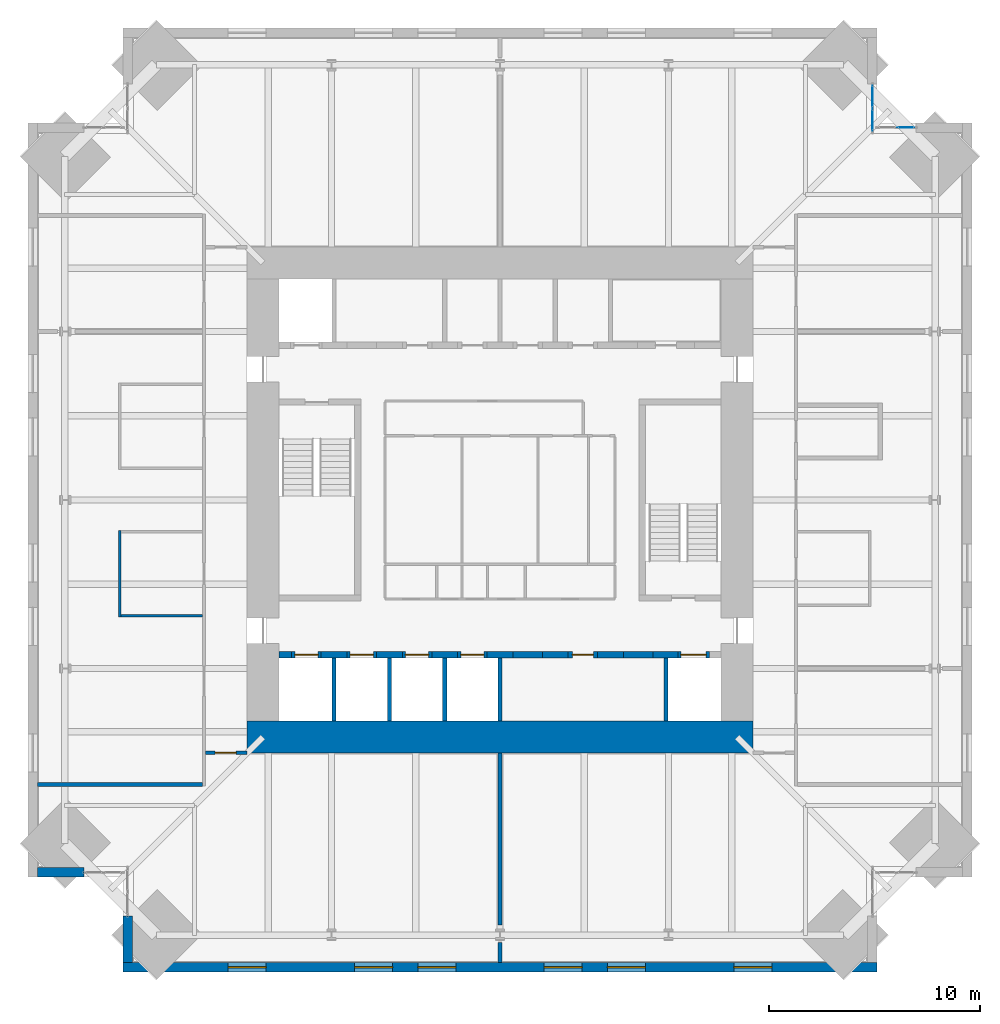
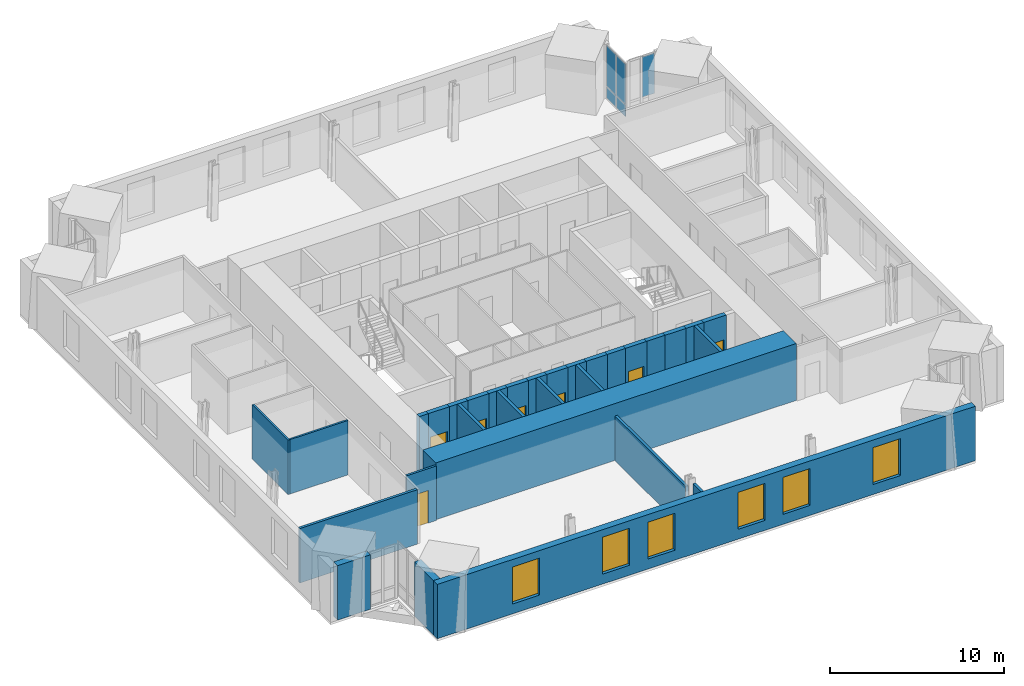
# One storey, part 12 of 17: 31 walls, 7 doors, 6 windows, 5 plates, 13 openings, 2 elements without a shape of their own.
"""IFC4 building model written with IfcOpenShell, lengths in metres."""

from ifc_helpers import new_model, si_unit, direction, frame, frame_2d, origin, origin_2d, place, context, subcontext, project, spatial, rectangle, extrude, material, layer, layer_set, type_object, element, fill, aggregate, save


model = new_model("IFC4")

# Units and contexts
model_context = context("Model", 3, precision=1e-05, world=origin(), true_north=direction((0.0, 1.0)))
body_context = subcontext(model_context, "Body", "Model", "MODEL_VIEW")
ifc_project = project(units=[si_unit("LENGTHUNIT", "METRE"), si_unit("AREAUNIT", "SQUARE_METRE"), si_unit("VOLUMEUNIT", "CUBIC_METRE"), si_unit("PLANEANGLEUNIT", "RADIAN"), si_unit("MASSUNIT", "GRAM", prefix="KILO")], contexts=[model_context])

# Site, building, storey
site_placement = place(None, origin())
site = spatial("IfcSite", under=ifc_project, at=site_placement, CompositionType="ELEMENT")
building_placement = place(site_placement, origin())
building = spatial("IfcBuilding", under=site, at=building_placement, Name="Peilmerk Tower", CompositionType="ELEMENT")
storey_placement = place(building_placement, frame((0.0, 0.0, 253.800048828125)))
storey = spatial("IfcBuildingStorey", under=building, at=storey_placement, Name="L56", CompositionType="ELEMENT", Elevation=253.800048828125)

# Curtain wall, plates
ifc_material_1 = material(Name="Aluminium stick curtain wall", Category="aluminium")
curtain_wall_type = type_object("IfcCurtainWallType", Name="CW4 stick curtain wall, 2250 module", PredefinedType="NOTDEFINED", material=ifc_material_1)
curtain_wall_1_placement = place(storey_placement, origin())
curtain_wall_1 = element("IfcCurtainWall", 1, at=curtain_wall_1_placement, inside=storey, type_object=curtain_wall_type, Name="Curtain wall CW4 NEA L56", PredefinedType="NOTDEFINED")
ifc_material_2 = material(Name="Clear insulated glazing unit", Category="glass")
ifc_layer_1 = layer(ifc_material_2, 0.028076171875)
ifc_layer_set_1 = layer_set([ifc_layer_1], Name="Clear insulated glazing unit")
plate_type = type_object("IfcPlateType", Name="CW4-P 28 glazed panel", PredefinedType="CURTAIN_PANEL", material=ifc_layer_set_1)
plate_1_placement = place(storey_placement, frame((17.675048828125, 18.038330078125, 0.06494140625), z_axis=(0.0, 0.0, 1.0), x_axis=(0.0, 1.0, 0.0)))
plate_1 = element("IfcPlate", 2, at=plate_1_placement, type_object=plate_type, Name="CW4 panel 1.1", PredefinedType="CURTAIN_PANEL", context=body_context, shape_type="SweptSolid", body=[
    extrude(rectangle(XDim=1.046875, YDim=0.028076171875, at=origin_2d()), origin(), (0.0, 0.0, 1.0), 0.802490234375),
])
plate_2_placement = place(storey_placement, frame((17.675048828125, 18.038330078125, 0.932373046875), z_axis=(0.0, 0.0, 1.0), x_axis=(0.0, 1.0, 0.0)))
plate_2 = element("IfcPlate", 3, at=plate_2_placement, type_object=plate_type, Name="CW4 panel 1.2", PredefinedType="CURTAIN_PANEL", context=body_context, shape_type="SweptSolid", body=[
    extrude(rectangle(XDim=1.046875, YDim=0.028076171875, at=origin_2d()), origin(), (0.0, 0.0, 1.0), 2.83251953125),
])
plate_3_placement = place(storey_placement, frame((17.675048828125, 19.150146484375, 0.06494140625), z_axis=(0.0, 0.0, 1.0), x_axis=(0.0, 1.0, 0.0)))
plate_3 = element("IfcPlate", 4, at=plate_3_placement, type_object=plate_type, Name="CW4 panel 2.1", PredefinedType="CURTAIN_PANEL", context=body_context, shape_type="SweptSolid", body=[
    extrude(rectangle(XDim=1.046875, YDim=0.028076171875, at=origin_2d()), origin(), (0.0, 0.0, 1.0), 0.802490234375),
])
plate_4_placement = place(storey_placement, frame((17.675048828125, 19.150146484375, 0.932373046875), z_axis=(0.0, 0.0, 1.0), x_axis=(0.0, 1.0, 0.0)))
plate_4 = element("IfcPlate", 5, at=plate_4_placement, type_object=plate_type, Name="CW4 panel 2.2", PredefinedType="CURTAIN_PANEL", context=body_context, shape_type="SweptSolid", body=[
    extrude(rectangle(XDim=1.046875, YDim=0.028076171875, at=origin_2d()), origin(), (0.0, 0.0, 1.0), 2.83251953125),
])
aggregate(curtain_wall_1, [plate_1, plate_2, plate_3, plate_4])

# Curtain wall, plate
curtain_wall_2_placement = place(storey_placement, origin())
curtain_wall_2 = element("IfcCurtainWall", 6, at=curtain_wall_2_placement, inside=storey, type_object=curtain_wall_type, Name="Curtain wall CW4 NEB L56", PredefinedType="NOTDEFINED")
plate_5_placement = place(storey_placement, frame((19.2626953125, 17.675048828125, 0.932373046875), z_axis=(0.0, 0.0, 1.0), x_axis=(1.0, 0.0, 0.0)))
plate_5 = element("IfcPlate", 7, at=plate_5_placement, type_object=plate_type, Name="CW4 panel 2.2", PredefinedType="CURTAIN_PANEL", context=body_context, shape_type="SweptSolid", body=[
    extrude(rectangle(XDim=0.82177734375, YDim=0.028076171875, at=origin_2d()), origin(), (0.0, 0.0, 1.0), 2.83251953125),
])
aggregate(curtain_wall_2, [plate_5])

# Wall, openings, windows
ifc_material_3 = material(Name="Precast concrete C45/55, board-marked finish", Category="concrete")
ifc_layer_2 = layer(ifc_material_3, 0.449951171875)
ifc_layer_set_2 = layer_set([ifc_layer_2], Name="Precast concrete C45/55, board-marked finish")
wall_type_1 = type_object("IfcWallType", Name="EW1 450 precast concrete facade wall, board-marked", PredefinedType="SOLIDWALL", material=ifc_layer_set_2)
wall_1_placement = place(storey_placement, frame((-17.89990234375, -22.175048828125, 0.0), z_axis=(0.0, 0.0, 1.0), x_axis=(1.0, 0.0, 0.0)))
wall_1 = element("IfcWall", 8, at=wall_1_placement, inside=storey, type_object=wall_type_1, Name="Facade wall S L56", PredefinedType="SOLIDWALL", context=body_context, shape_type="SweptSolid", body=[
    extrude(rectangle(XDim=35.7998046875, YDim=0.449951171875, at=frame_2d((17.89990234375, 0.0))), origin(), (0.0, 0.0, 1.0), 3.829833984375),
])
opening_1_placement = place(wall_1_placement, frame((5.0, 0.0, 0.699951171875)))
opening_1 = element("IfcOpeningElement", 9, at=opening_1_placement, cuts=wall_1, Name="Opening W1", PredefinedType="OPENING", context=body_context, shape_type="SweptSolid", body=[
    extrude(rectangle(XDim=1.800048828125, YDim=2.60009765625, at=frame_2d((0.89990234375, 1.300048828125))), frame((0.0, 0.23486328125, 0.0), z_axis=(0.0, -1.0, 0.0), x_axis=(1.0, 0.0, 0.0)), (0.0, 0.0, 1.0), 0.469970703125),
])
opening_2_placement = place(wall_1_placement, frame((11.0, 0.0, 0.699951171875)))
opening_2 = element("IfcOpeningElement", 10, at=opening_2_placement, cuts=wall_1, Name="Opening W1", PredefinedType="OPENING", context=body_context, shape_type="SweptSolid", body=[
    extrude(rectangle(XDim=1.800048828125, YDim=2.60009765625, at=frame_2d((0.89990234375, 1.300048828125))), frame((0.0, 0.23486328125, 0.0), z_axis=(0.0, -1.0, 0.0), x_axis=(1.0, 0.0, 0.0)), (0.0, 0.0, 1.0), 0.469970703125),
])
opening_3_placement = place(wall_1_placement, frame((14.0, 0.0, 0.699951171875)))
opening_3 = element("IfcOpeningElement", 11, at=opening_3_placement, cuts=wall_1, Name="Opening W1", PredefinedType="OPENING", context=body_context, shape_type="SweptSolid", body=[
    extrude(rectangle(XDim=1.800048828125, YDim=2.60009765625, at=frame_2d((0.89990234375, 1.300048828125))), frame((0.0, 0.23486328125, 0.0), z_axis=(0.0, -1.0, 0.0), x_axis=(1.0, 0.0, 0.0)), (0.0, 0.0, 1.0), 0.469970703125),
])
opening_4_placement = place(wall_1_placement, frame((20.0, 0.0, 0.699951171875)))
opening_4 = element("IfcOpeningElement", 12, at=opening_4_placement, cuts=wall_1, Name="Opening W1", PredefinedType="OPENING", context=body_context, shape_type="SweptSolid", body=[
    extrude(rectangle(XDim=1.800048828125, YDim=2.60009765625, at=frame_2d((0.89990234375, 1.300048828125))), frame((0.0, 0.23486328125, 0.0), z_axis=(0.0, -1.0, 0.0), x_axis=(1.0, 0.0, 0.0)), (0.0, 0.0, 1.0), 0.469970703125),
])
opening_5_placement = place(wall_1_placement, frame((23.0, 0.0, 0.699951171875)))
opening_5 = element("IfcOpeningElement", 13, at=opening_5_placement, cuts=wall_1, Name="Opening W1", PredefinedType="OPENING", context=body_context, shape_type="SweptSolid", body=[
    extrude(rectangle(XDim=1.800048828125, YDim=2.60009765625, at=frame_2d((0.89990234375, 1.300048828125))), frame((0.0, 0.23486328125, 0.0), z_axis=(0.0, -1.0, 0.0), x_axis=(1.0, 0.0, 0.0)), (0.0, 0.0, 1.0), 0.469970703125),
])
opening_6_placement = place(wall_1_placement, frame((29.0, 0.0, 0.699951171875)))
opening_6 = element("IfcOpeningElement", 14, at=opening_6_placement, cuts=wall_1, Name="Opening W1", PredefinedType="OPENING", context=body_context, shape_type="SweptSolid", body=[
    extrude(rectangle(XDim=1.800048828125, YDim=2.60009765625, at=frame_2d((0.89990234375, 1.300048828125))), frame((0.0, 0.23486328125, 0.0), z_axis=(0.0, -1.0, 0.0), x_axis=(1.0, 0.0, 0.0)), (0.0, 0.0, 1.0), 0.469970703125),
])
ifc_material_4 = material(Name="Aluminium frame, clear double glazing", Category="aluminium")
window_type = type_object("IfcWindowType", Name="W1 1800x2600 office window", PartitioningType="SINGLE_PANEL", PredefinedType="WINDOW", material=ifc_material_4)
window_1_placement = place(opening_1_placement, origin())
window_1 = element("IfcWindow", 15, at=window_1_placement, inside=storey, type_object=window_type, Name="Window W1 L56", OverallHeight=2.60009765625, OverallWidth=1.800048828125, PartitioningType="SINGLE_PANEL", PredefinedType="WINDOW", context=body_context, shape_type="SweptSolid", body=[
    extrude(rectangle(XDim=1.800048828125, YDim=2.60009765625, at=frame_2d((0.89990234375, 1.300048828125))), frame((0.0, 0.030029296875, 0.0), z_axis=(0.0, -1.0, 0.0), x_axis=(1.0, 0.0, 0.0)), (0.0, 0.0, 1.0), 0.06005859375),
])
fill(opening_1, window_1)
window_2_placement = place(opening_2_placement, origin())
window_2 = element("IfcWindow", 16, at=window_2_placement, inside=storey, type_object=window_type, Name="Window W1 L56", OverallHeight=2.60009765625, OverallWidth=1.800048828125, PartitioningType="SINGLE_PANEL", PredefinedType="WINDOW", context=body_context, shape_type="SweptSolid", body=[
    extrude(rectangle(XDim=1.800048828125, YDim=2.60009765625, at=frame_2d((0.89990234375, 1.300048828125))), frame((0.0, 0.030029296875, 0.0), z_axis=(0.0, -1.0, 0.0), x_axis=(1.0, 0.0, 0.0)), (0.0, 0.0, 1.0), 0.06005859375),
])
fill(opening_2, window_2)
window_3_placement = place(opening_3_placement, origin())
window_3 = element("IfcWindow", 17, at=window_3_placement, inside=storey, type_object=window_type, Name="Window W1 L56", OverallHeight=2.60009765625, OverallWidth=1.800048828125, PartitioningType="SINGLE_PANEL", PredefinedType="WINDOW", context=body_context, shape_type="SweptSolid", body=[
    extrude(rectangle(XDim=1.800048828125, YDim=2.60009765625, at=frame_2d((0.89990234375, 1.300048828125))), frame((0.0, 0.030029296875, 0.0), z_axis=(0.0, -1.0, 0.0), x_axis=(1.0, 0.0, 0.0)), (0.0, 0.0, 1.0), 0.06005859375),
])
fill(opening_3, window_3)
window_4_placement = place(opening_4_placement, origin())
window_4 = element("IfcWindow", 18, at=window_4_placement, inside=storey, type_object=window_type, Name="Window W1 L56", OverallHeight=2.60009765625, OverallWidth=1.800048828125, PartitioningType="SINGLE_PANEL", PredefinedType="WINDOW", context=body_context, shape_type="SweptSolid", body=[
    extrude(rectangle(XDim=1.800048828125, YDim=2.60009765625, at=frame_2d((0.89990234375, 1.300048828125))), frame((0.0, 0.030029296875, 0.0), z_axis=(0.0, -1.0, 0.0), x_axis=(1.0, 0.0, 0.0)), (0.0, 0.0, 1.0), 0.06005859375),
])
fill(opening_4, window_4)
window_5_placement = place(opening_5_placement, origin())
window_5 = element("IfcWindow", 19, at=window_5_placement, inside=storey, type_object=window_type, Name="Window W1 L56", OverallHeight=2.60009765625, OverallWidth=1.800048828125, PartitioningType="SINGLE_PANEL", PredefinedType="WINDOW", context=body_context, shape_type="SweptSolid", body=[
    extrude(rectangle(XDim=1.800048828125, YDim=2.60009765625, at=frame_2d((0.89990234375, 1.300048828125))), frame((0.0, 0.030029296875, 0.0), z_axis=(0.0, -1.0, 0.0), x_axis=(1.0, 0.0, 0.0)), (0.0, 0.0, 1.0), 0.06005859375),
])
fill(opening_5, window_5)
window_6_placement = place(opening_6_placement, origin())
window_6 = element("IfcWindow", 20, at=window_6_placement, inside=storey, type_object=window_type, Name="Window W1 L56", OverallHeight=2.60009765625, OverallWidth=1.800048828125, PartitioningType="SINGLE_PANEL", PredefinedType="WINDOW", context=body_context, shape_type="SweptSolid", body=[
    extrude(rectangle(XDim=1.800048828125, YDim=2.60009765625, at=frame_2d((0.89990234375, 1.300048828125))), frame((0.0, 0.030029296875, 0.0), z_axis=(0.0, -1.0, 0.0), x_axis=(1.0, 0.0, 0.0)), (0.0, 0.0, 1.0), 0.06005859375),
])
fill(opening_6, window_6)

# Walls
for number, where, z_axis, x_axis, name in (
    (21, (-17.675048828125, -19.753662109375, 0.0), (0.0, 0.0, 1.0), (0.0, -1.0, 0.0), "Facade wall SWA L56"),
    (22, (-19.753662109375, -17.675048828125, 0.0), (0.0, 0.0, 1.0), (-1.0, 0.0, 0.0), "Facade wall SWB L56"),
):
    element("IfcWall", number, at=place(storey_placement, frame(where, z_axis=z_axis, x_axis=x_axis)), inside=storey, type_object=wall_type_1, Name=name, PredefinedType="SOLIDWALL", context=body_context, shape_type="SweptSolid", body=[
        extrude(rectangle(XDim=2.1962890625, YDim=0.449951171875, at=frame_2d((1.09814453125, 0.0))), origin(), (0.0, 0.0, 1.0), 3.829833984375),
    ])

# Wall, opening, door
ifc_material_5 = material(Name="Calcium silicate block", Category="masonry")
ifc_layer_3 = layer(ifc_material_5, 0.14990234375)
ifc_layer_set_3 = layer_set([ifc_layer_3], Name="Calcium silicate block")
wall_type_2 = type_object("IfcWallType", Name="IW1 150 corridor partition, EI 60", PredefinedType="PARTITIONING", material=ifc_layer_set_3)
wall_2_placement = place(storey_placement, frame((-12.0, -12.0, 0.0), z_axis=(0.0, 0.0, 1.0), x_axis=(-1.0, 0.0, 0.0)))
wall_2 = element("IfcWall", 23, at=wall_2_placement, inside=storey, type_object=wall_type_2, Name="Corridor wall SW L56", PredefinedType="PARTITIONING", context=body_context, shape_type="SweptSolid", body=[
    extrude(rectangle(XDim=1.97509765625, YDim=0.14990234375, at=frame_2d((0.987548828125, 0.0))), origin(), (0.0, 0.0, 1.0), 3.829833984375),
])
opening_7_placement = place(wall_2_placement, frame((0.52490234375, 0.0, 0.0)))
opening_7 = element("IfcOpeningElement", 24, at=opening_7_placement, cuts=wall_2, Name="Opening D1", PredefinedType="OPENING", context=body_context, shape_type="SweptSolid", body=[
    extrude(rectangle(XDim=1.0, YDim=2.300048828125, at=frame_2d((0.5, 1.14990234375))), frame((0.0, 0.0849609375, 0.0), z_axis=(0.0, -1.0, 0.0), x_axis=(1.0, 0.0, 0.0)), (0.0, 0.0, 1.0), 0.169921875),
])
ifc_material_6 = material(Name="Timber door in steel frame", Category="steel")
door_type_1 = type_object("IfcDoorType", Name="D1 1000x2300 room door, EI2 30", OperationType="SINGLE_SWING_LEFT", PredefinedType="DOOR", material=ifc_material_6)
door_1_placement = place(opening_7_placement, origin())
door_1 = element("IfcDoor", 25, at=door_1_placement, inside=storey, type_object=door_type_1, Name="Door Tenant suite L56", OperationType="SINGLE_SWING_LEFT", OverallHeight=2.300048828125, OverallWidth=1.0, PredefinedType="DOOR", context=body_context, shape_type="SweptSolid", body=[
    extrude(rectangle(XDim=1.0, YDim=2.300048828125, at=frame_2d((0.5, 1.14990234375))), frame((0.0, 0.02490234375, 0.0), z_axis=(0.0, -1.0, 0.0), x_axis=(1.0, 0.0, 0.0)), (0.0, 0.0, 1.0), 0.050048828125),
])
fill(opening_7, door_1)

# Walls
ifc_material_7 = material(Name="Plasterboard on steel studs, double boarded with mineral wool", Category="steel")
ifc_layer_4 = layer(ifc_material_7, 0.125)
ifc_layer_set_4 = layer_set([ifc_layer_4], Name="Plasterboard on steel studs, double boarded with mineral wool")
wall_type_3 = type_object("IfcWallType", Name="IW7 125 acoustic partition, EI 30", PredefinedType="PARTITIONING", material=ifc_layer_set_4)
wall_3_placement = place(storey_placement, frame((-18.050048828125, -5.5625, 0.0), z_axis=(0.0, 0.0, 1.0), x_axis=(0.0, 1.0, 0.0)))
element("IfcWall", 26, at=wall_3_placement, inside=storey, type_object=wall_type_3, Name="Acoustic partition Meeting room L56", PredefinedType="PARTITIONING", context=body_context, shape_type="SweptSolid", body=[
    extrude(rectangle(XDim=4.125, YDim=0.125, at=frame_2d((2.0625, 0.0))), origin(), (0.0, 0.0, 1.0), 3.829833984375),
])
wall_4_placement = place(storey_placement, frame((-14.125, -5.5, 0.0), z_axis=(0.0, 0.0, 1.0), x_axis=(-1.0, 0.0, 0.0)))
element("IfcWall", 27, at=wall_4_placement, inside=storey, type_object=wall_type_3, Name="Acoustic partition Meeting room L56", PredefinedType="PARTITIONING", context=body_context, shape_type="SweptSolid", body=[
    extrude(rectangle(XDim=3.862548828125, YDim=0.125, at=frame_2d((1.93115234375, 0.0))), origin(), (0.0, 0.0, 1.0), 3.829833984375),
])
ifc_layer_5 = layer(ifc_material_5, 0.175048828125)
ifc_layer_set_5 = layer_set([ifc_layer_5], Name="Calcium silicate block")
wall_type_4 = type_object("IfcWallType", Name="IW8 175 tenant separating wall, EI 60", PredefinedType="PARTITIONING", material=ifc_layer_set_5)
wall_5_placement = place(storey_placement, frame((-14.125, -13.5, 0.0), z_axis=(0.0, 0.0, 1.0), x_axis=(-1.0, 0.0, 0.0)))
element("IfcWall", 28, at=wall_5_placement, inside=storey, type_object=wall_type_4, Name="Tenant separating wall SW L56", PredefinedType="PARTITIONING", context=body_context, shape_type="SweptSolid", body=[
    extrude(rectangle(XDim=7.824951171875, YDim=0.175048828125, at=frame_2d((3.91259765625, 0.0))), origin(), (0.0, 0.0, 1.0), 3.829833984375),
])
wall_6_placement = place(storey_placement, frame((0.0, -12.0, 0.0), z_axis=(0.0, 0.0, 1.0), x_axis=(0.0, -1.0, 0.0)))
element("IfcWall", 29, at=wall_6_placement, inside=storey, type_object=wall_type_4, Name="Tenant separating wall S1 L56", PredefinedType="PARTITIONING", context=body_context, shape_type="SweptSolid", body=[
    extrude(rectangle(XDim=8.171875, YDim=0.175048828125, at=frame_2d((4.0859375, 0.0))), origin(), (0.0, 0.0, 1.0), 3.139892578125),
])
wall_7_placement = place(storey_placement, frame((0.0, -20.992431640625, 0.0), z_axis=(0.0, 0.0, 1.0), x_axis=(0.0, -1.0, 0.0)))
element("IfcWall", 30, at=wall_7_placement, inside=storey, type_object=wall_type_4, Name="Tenant separating wall S1b L56", PredefinedType="PARTITIONING", context=body_context, shape_type="SweptSolid", body=[
    extrude(rectangle(XDim=0.95751953125, YDim=0.175048828125, at=frame_2d((0.478759765625, 0.0))), origin(), (0.0, 0.0, 1.0), 3.829833984375),
])
ifc_layer_6 = layer(ifc_material_5, 0.199951171875)
ifc_layer_set_6 = layer_set([ifc_layer_6], Name="Calcium silicate block")
wall_type_5 = type_object("IfcWallType", Name="SH1 200 shaft dividing wall, EI 120", PredefinedType="PARTITIONING", material=ifc_layer_set_6)
for number, where, z_axis, x_axis, name in (
    (31, (-7.875, -10.5, 0.0), (0.0, 0.0, 1.0), (0.0, 1.0, 0.0), "Shaft wall S C4 L56"),
    (32, (-5.25, -10.5, 0.0), (0.0, 0.0, 1.0), (0.0, 1.0, 0.0), "Shaft wall S C3 L56"),
    (33, (-2.625, -10.5, 0.0), (0.0, 0.0, 1.0), (0.0, 1.0, 0.0), "Shaft wall S C2 L56"),
    (34, (0.0, -10.5, 0.0), (0.0, 0.0, 1.0), (0.0, 1.0, 0.0), "Shaft wall S C1 L56"),
    (35, (7.875, -10.5, 0.0), (0.0, 0.0, 1.0), (0.0, 1.0, 0.0), "Shaft wall S B1 L56"),
):
    element("IfcWall", number, at=place(storey_placement, frame(where, z_axis=z_axis, x_axis=x_axis)), inside=storey, type_object=wall_type_5, Name=name, PredefinedType="PARTITIONING", context=body_context, shape_type="SweptSolid", body=[
        extrude(rectangle(XDim=3.0, YDim=0.199951171875, at=frame_2d((1.5, 0.0))), origin(), (0.0, 0.0, 1.0), 4.0),
    ])

# Wall, opening, door
ifc_layer_7 = layer(ifc_material_5, 0.300048828125)
ifc_layer_set_7 = layer_set([ifc_layer_7], Name="Calcium silicate block")
wall_type_6 = type_object("IfcWallType", Name="SH2 300 lift landing door panel, EI 120", PredefinedType="PARTITIONING", material=ifc_layer_set_7)
wall_8_placement = place(storey_placement, frame((-9.887451171875, -7.35009765625, 0.0), z_axis=(0.0, 0.0, 1.0), x_axis=(1.0, 0.0, 0.0)))
wall_8 = element("IfcWall", 36, at=wall_8_placement, inside=storey, type_object=wall_type_6, Name="Lift door panel S C4 L56", PredefinedType="PARTITIONING", context=body_context, shape_type="SweptSolid", body=[
    extrude(rectangle(XDim=1.39990234375, YDim=0.300048828125, at=frame_2d((0.699951171875, 0.0))), origin(), (0.0, 0.0, 1.0), 4.0),
])
opening_8_placement = place(wall_8_placement, frame((0.14990234375, 0.0, 0.0)))
opening_8 = element("IfcOpeningElement", 37, at=opening_8_placement, cuts=wall_8, Name="Opening LD1", PredefinedType="OPENING", context=body_context, shape_type="SweptSolid", body=[
    extrude(rectangle(XDim=1.10009765625, YDim=2.300048828125, at=frame_2d((0.550048828125, 1.14990234375))), frame((0.0, 0.159912109375, 0.0), z_axis=(0.0, -1.0, 0.0), x_axis=(1.0, 0.0, 0.0)), (0.0, 0.0, 1.0), 0.320068359375),
])
ifc_material_8 = material(Name="Stainless steel landing door", Category="steel")
door_type_2 = type_object("IfcDoorType", Name="LD1 1100x2300 lift landing door, sliding, EI2 60", OperationType="SLIDING_TO_LEFT", PredefinedType="DOOR", material=ifc_material_8)
door_2_placement = place(opening_8_placement, origin())
door_2 = element("IfcDoor", 38, at=door_2_placement, inside=storey, type_object=door_type_2, Name="Lift landing door C4 L56", OperationType="SLIDING_TO_LEFT", OverallHeight=2.300048828125, OverallWidth=1.10009765625, PredefinedType="DOOR", context=body_context, shape_type="SweptSolid", body=[
    extrude(rectangle(XDim=1.10009765625, YDim=2.300048828125, at=frame_2d((0.550048828125, 1.14990234375))), frame((0.0, 0.02490234375, 0.0), z_axis=(0.0, -1.0, 0.0), x_axis=(1.0, 0.0, 0.0)), (0.0, 0.0, 1.0), 0.050048828125),
])
fill(opening_8, door_2)

wall_9_placement = place(storey_placement, frame((-7.262451171875, -7.35009765625, 0.0), z_axis=(0.0, 0.0, 1.0), x_axis=(1.0, 0.0, 0.0)))
wall_9 = element("IfcWall", 39, at=wall_9_placement, inside=storey, type_object=wall_type_6, Name="Lift door panel S C3 L56", PredefinedType="PARTITIONING", context=body_context, shape_type="SweptSolid", body=[
    extrude(rectangle(XDim=1.39990234375, YDim=0.300048828125, at=frame_2d((0.699951171875, 0.0))), origin(), (0.0, 0.0, 1.0), 4.0),
])
opening_9_placement = place(wall_9_placement, frame((0.14990234375, 0.0, 0.0)))
opening_9 = element("IfcOpeningElement", 40, at=opening_9_placement, cuts=wall_9, Name="Opening LD1", PredefinedType="OPENING", context=body_context, shape_type="SweptSolid", body=[
    extrude(rectangle(XDim=1.10009765625, YDim=2.300048828125, at=frame_2d((0.550048828125, 1.14990234375))), frame((0.0, 0.159912109375, 0.0), z_axis=(0.0, -1.0, 0.0), x_axis=(1.0, 0.0, 0.0)), (0.0, 0.0, 1.0), 0.320068359375),
])
door_3_placement = place(opening_9_placement, origin())
door_3 = element("IfcDoor", 41, at=door_3_placement, inside=storey, type_object=door_type_2, Name="Lift landing door C3 L56", OperationType="SLIDING_TO_LEFT", OverallHeight=2.300048828125, OverallWidth=1.10009765625, PredefinedType="DOOR", context=body_context, shape_type="SweptSolid", body=[
    extrude(rectangle(XDim=1.10009765625, YDim=2.300048828125, at=frame_2d((0.550048828125, 1.14990234375))), frame((0.0, 0.02490234375, 0.0), z_axis=(0.0, -1.0, 0.0), x_axis=(1.0, 0.0, 0.0)), (0.0, 0.0, 1.0), 0.050048828125),
])
fill(opening_9, door_3)

wall_10_placement = place(storey_placement, frame((-4.637451171875, -7.35009765625, 0.0), z_axis=(0.0, 0.0, 1.0), x_axis=(1.0, 0.0, 0.0)))
wall_10 = element("IfcWall", 42, at=wall_10_placement, inside=storey, type_object=wall_type_6, Name="Lift door panel S C2 L56", PredefinedType="PARTITIONING", context=body_context, shape_type="SweptSolid", body=[
    extrude(rectangle(XDim=1.39990234375, YDim=0.300048828125, at=frame_2d((0.699951171875, 0.0))), origin(), (0.0, 0.0, 1.0), 4.0),
])
opening_10_placement = place(wall_10_placement, frame((0.14990234375, 0.0, 0.0)))
opening_10 = element("IfcOpeningElement", 43, at=opening_10_placement, cuts=wall_10, Name="Opening LD1", PredefinedType="OPENING", context=body_context, shape_type="SweptSolid", body=[
    extrude(rectangle(XDim=1.10009765625, YDim=2.300048828125, at=frame_2d((0.550048828125, 1.14990234375))), frame((0.0, 0.159912109375, 0.0), z_axis=(0.0, -1.0, 0.0), x_axis=(1.0, 0.0, 0.0)), (0.0, 0.0, 1.0), 0.320068359375),
])
door_4_placement = place(opening_10_placement, origin())
door_4 = element("IfcDoor", 44, at=door_4_placement, inside=storey, type_object=door_type_2, Name="Lift landing door C2 L56", OperationType="SLIDING_TO_LEFT", OverallHeight=2.300048828125, OverallWidth=1.10009765625, PredefinedType="DOOR", context=body_context, shape_type="SweptSolid", body=[
    extrude(rectangle(XDim=1.10009765625, YDim=2.300048828125, at=frame_2d((0.550048828125, 1.14990234375))), frame((0.0, 0.02490234375, 0.0), z_axis=(0.0, -1.0, 0.0), x_axis=(1.0, 0.0, 0.0)), (0.0, 0.0, 1.0), 0.050048828125),
])
fill(opening_10, door_4)

wall_11_placement = place(storey_placement, frame((-2.012451171875, -7.35009765625, 0.0), z_axis=(0.0, 0.0, 1.0), x_axis=(1.0, 0.0, 0.0)))
wall_11 = element("IfcWall", 45, at=wall_11_placement, inside=storey, type_object=wall_type_6, Name="Lift door panel S C1 L56", PredefinedType="PARTITIONING", context=body_context, shape_type="SweptSolid", body=[
    extrude(rectangle(XDim=1.39990234375, YDim=0.300048828125, at=frame_2d((0.699951171875, 0.0))), origin(), (0.0, 0.0, 1.0), 4.0),
])
opening_11_placement = place(wall_11_placement, frame((0.14990234375, 0.0, 0.0)))
opening_11 = element("IfcOpeningElement", 46, at=opening_11_placement, cuts=wall_11, Name="Opening LD1", PredefinedType="OPENING", context=body_context, shape_type="SweptSolid", body=[
    extrude(rectangle(XDim=1.10009765625, YDim=2.300048828125, at=frame_2d((0.550048828125, 1.14990234375))), frame((0.0, 0.159912109375, 0.0), z_axis=(0.0, -1.0, 0.0), x_axis=(1.0, 0.0, 0.0)), (0.0, 0.0, 1.0), 0.320068359375),
])
door_5_placement = place(opening_11_placement, origin())
door_5 = element("IfcDoor", 47, at=door_5_placement, inside=storey, type_object=door_type_2, Name="Lift landing door C1 L56", OperationType="SLIDING_TO_LEFT", OverallHeight=2.300048828125, OverallWidth=1.10009765625, PredefinedType="DOOR", context=body_context, shape_type="SweptSolid", body=[
    extrude(rectangle(XDim=1.10009765625, YDim=2.300048828125, at=frame_2d((0.550048828125, 1.14990234375))), frame((0.0, 0.02490234375, 0.0), z_axis=(0.0, -1.0, 0.0), x_axis=(1.0, 0.0, 0.0)), (0.0, 0.0, 1.0), 0.050048828125),
])
fill(opening_11, door_5)

# Wall
wall_12_placement = place(storey_placement, frame((0.612548828125, -7.35009765625, 0.0), z_axis=(0.0, 0.0, 1.0), x_axis=(1.0, 0.0, 0.0)))
element("IfcWall", 48, at=wall_12_placement, inside=storey, type_object=wall_type_6, Name="Lift door panel S B3 L56", PredefinedType="PARTITIONING", context=body_context, shape_type="SweptSolid", body=[
    extrude(rectangle(XDim=1.39990234375, YDim=0.300048828125, at=frame_2d((0.699951171875, 0.0))), origin(), (0.0, 0.0, 1.0), 4.0),
])

# Wall, opening, door
wall_13_placement = place(storey_placement, frame((3.237548828125, -7.35009765625, 0.0), z_axis=(0.0, 0.0, 1.0), x_axis=(1.0, 0.0, 0.0)))
wall_13 = element("IfcWall", 49, at=wall_13_placement, inside=storey, type_object=wall_type_6, Name="Lift door panel S B2 L56", PredefinedType="PARTITIONING", context=body_context, shape_type="SweptSolid", body=[
    extrude(rectangle(XDim=1.39990234375, YDim=0.300048828125, at=frame_2d((0.699951171875, 0.0))), origin(), (0.0, 0.0, 1.0), 4.0),
])
opening_12_placement = place(wall_13_placement, frame((0.199951171875, 0.0, 0.0)))
opening_12 = element("IfcOpeningElement", 50, at=opening_12_placement, cuts=wall_13, Name="Opening D10", PredefinedType="OPENING", context=body_context, shape_type="SweptSolid", body=[
    extrude(rectangle(XDim=1.0, YDim=2.300048828125, at=frame_2d((0.5, 1.14990234375))), frame((0.0, 0.159912109375, 0.0), z_axis=(0.0, -1.0, 0.0), x_axis=(1.0, 0.0, 0.0)), (0.0, 0.0, 1.0), 0.320068359375),
])
ifc_material_9 = material(Name="Steel door in steel frame", Category="steel")
door_type_3 = type_object("IfcDoorType", Name="D10 1000x2300 core room door, EI2 60", OperationType="SINGLE_SWING_RIGHT", PredefinedType="DOOR", material=ifc_material_9)
door_6_placement = place(opening_12_placement, frame((1.0, 0.0, 0.0), z_axis=(0.0, 0.0, 1.0), x_axis=(-1.0, 0.0, 0.0)))
door_6 = element("IfcDoor", 51, at=door_6_placement, inside=storey, type_object=door_type_3, Name="Door Mail room L56", OperationType="SINGLE_SWING_RIGHT", OverallHeight=2.300048828125, OverallWidth=1.0, PredefinedType="DOOR", context=body_context, shape_type="SweptSolid", body=[
    extrude(rectangle(XDim=1.0, YDim=2.300048828125, at=frame_2d((0.5, 1.14990234375))), frame((0.0, 0.02490234375, 0.0), z_axis=(0.0, -1.0, 0.0), x_axis=(1.0, 0.0, 0.0)), (0.0, 0.0, 1.0), 0.050048828125),
])
fill(opening_12, door_6)

# Wall
wall_14_placement = place(storey_placement, frame((5.862548828125, -7.35009765625, 0.0), z_axis=(0.0, 0.0, 1.0), x_axis=(1.0, 0.0, 0.0)))
element("IfcWall", 52, at=wall_14_placement, inside=storey, type_object=wall_type_6, Name="Lift door panel S B1 L56", PredefinedType="PARTITIONING", context=body_context, shape_type="SweptSolid", body=[
    extrude(rectangle(XDim=1.39990234375, YDim=0.300048828125, at=frame_2d((0.699951171875, 0.0))), origin(), (0.0, 0.0, 1.0), 4.0),
])

# Wall, opening, door
wall_15_placement = place(storey_placement, frame((8.4375, -7.35009765625, 0.0), z_axis=(0.0, 0.0, 1.0), x_axis=(1.0, 0.0, 0.0)))
wall_15 = element("IfcWall", 53, at=wall_15_placement, inside=storey, type_object=wall_type_6, Name="Lift door panel S FL2 L56", PredefinedType="PARTITIONING", context=body_context, shape_type="SweptSolid", body=[
    extrude(rectangle(XDim=1.5, YDim=0.300048828125, at=frame_2d((0.75, 0.0))), origin(), (0.0, 0.0, 1.0), 4.0),
])
opening_13_placement = place(wall_15_placement, frame((0.14990234375, 0.0, 0.0)))
opening_13 = element("IfcOpeningElement", 54, at=opening_13_placement, cuts=wall_15, Name="Opening LD2", PredefinedType="OPENING", context=body_context, shape_type="SweptSolid", body=[
    extrude(rectangle(XDim=1.199951171875, YDim=2.300048828125, at=frame_2d((0.60009765625, 1.14990234375))), frame((0.0, 0.159912109375, 0.0), z_axis=(0.0, -1.0, 0.0), x_axis=(1.0, 0.0, 0.0)), (0.0, 0.0, 1.0), 0.320068359375),
])
door_type_4 = type_object("IfcDoorType", Name="LD2 1200x2300 lift landing door, sliding, EI2 60", OperationType="SLIDING_TO_LEFT", PredefinedType="DOOR", material=ifc_material_8)
door_7_placement = place(opening_13_placement, origin())
door_7 = element("IfcDoor", 55, at=door_7_placement, inside=storey, type_object=door_type_4, Name="Lift landing door FL2 L56", OperationType="SLIDING_TO_LEFT", OverallHeight=2.300048828125, OverallWidth=1.199951171875, PredefinedType="DOOR", context=body_context, shape_type="SweptSolid", body=[
    extrude(rectangle(XDim=1.199951171875, YDim=2.300048828125, at=frame_2d((0.60009765625, 1.14990234375))), frame((0.0, 0.02490234375, 0.0), z_axis=(0.0, -1.0, 0.0), x_axis=(1.0, 0.0, 0.0)), (0.0, 0.0, 1.0), 0.050048828125),
])
fill(opening_13, door_7)

# Walls
ifc_material_10 = material(Name="Concrete C55/67", Category="concrete")
ifc_layer_8 = layer(ifc_material_10, 1.5)
ifc_layer_set_8 = layer_set([ifc_layer_8], Name="Concrete C55/67")
wall_type_7 = type_object("IfcWallType", Name="SW1 1500 core wall", PredefinedType="SHEAR", material=ifc_layer_set_8)
wall_16_placement = place(storey_placement, frame((12.0, -11.25, 0.0), z_axis=(0.0, 0.0, 1.0), x_axis=(-1.0, 0.0, 0.0)))
element("IfcWall", 56, at=wall_16_placement, inside=storey, type_object=wall_type_7, Name="Core wall S L56", PredefinedType="SHEAR", context=body_context, shape_type="SweptSolid", body=[
    extrude(rectangle(XDim=24.0, YDim=1.5, at=frame_2d((12.0, 0.0))), origin(), (0.0, 0.0, 1.0), 4.0),
])
ifc_layer_9 = layer(ifc_material_10, 0.300048828125)
ifc_layer_set_9 = layer_set([ifc_layer_9], Name="Concrete C55/67")
wall_type_8 = type_object("IfcWallType", Name="SW2 300 lift bank pier", PredefinedType="SHEAR", material=ifc_layer_set_9)
wall_17_placement = place(storey_placement, frame((-10.5, -7.35009765625, 0.0), z_axis=(0.0, 0.0, 1.0), x_axis=(1.0, 0.0, 0.0)))
element("IfcWall", 57, at=wall_17_placement, inside=storey, type_object=wall_type_8, Name="Lift bank pier S L56", PredefinedType="SHEAR", context=body_context, shape_type="SweptSolid", body=[
    extrude(rectangle(XDim=0.612548828125, YDim=0.300048828125, at=frame_2d((0.30615234375, 0.0))), origin(), (0.0, 0.0, 1.0), 4.0),
])
for number, where, z_axis, x_axis, name in (
    (58, (-8.487548828125, -7.35009765625, 0.0), (0.0, 0.0, 1.0), (1.0, 0.0, 0.0), "Lift bank pier S L56"),
    (59, (-5.862548828125, -7.35009765625, 0.0), (0.0, 0.0, 1.0), (1.0, 0.0, 0.0), "Lift bank pier S L56"),
    (60, (-3.237548828125, -7.35009765625, 0.0), (0.0, 0.0, 1.0), (1.0, 0.0, 0.0), "Lift bank pier S L56"),
    (61, (-0.612548828125, -7.35009765625, 0.0), (0.0, 0.0, 1.0), (1.0, 0.0, 0.0), "Lift bank pier S L56"),
    (62, (2.012451171875, -7.35009765625, 0.0), (0.0, 0.0, 1.0), (1.0, 0.0, 0.0), "Lift bank pier S L56"),
    (63, (4.637451171875, -7.35009765625, 0.0), (0.0, 0.0, 1.0), (1.0, 0.0, 0.0), "Lift bank pier S L56"),
):
    element("IfcWall", number, at=place(storey_placement, frame(where, z_axis=z_axis, x_axis=x_axis)), inside=storey, type_object=wall_type_8, Name=name, PredefinedType="SHEAR", context=body_context, shape_type="SweptSolid", body=[
        extrude(rectangle(XDim=1.22509765625, YDim=0.300048828125, at=frame_2d((0.612548828125, 0.0))), origin(), (0.0, 0.0, 1.0), 4.0),
    ])
wall_18_placement = place(storey_placement, frame((7.262451171875, -7.35009765625, 0.0), z_axis=(0.0, 0.0, 1.0), x_axis=(1.0, 0.0, 0.0)))
element("IfcWall", 64, at=wall_18_placement, inside=storey, type_object=wall_type_8, Name="Lift bank pier S L56", PredefinedType="SHEAR", context=body_context, shape_type="SweptSolid", body=[
    extrude(rectangle(XDim=1.175048828125, YDim=0.300048828125, at=frame_2d((0.58740234375, 0.0))), origin(), (0.0, 0.0, 1.0), 4.0),
])

save(model, "model.ifc")
